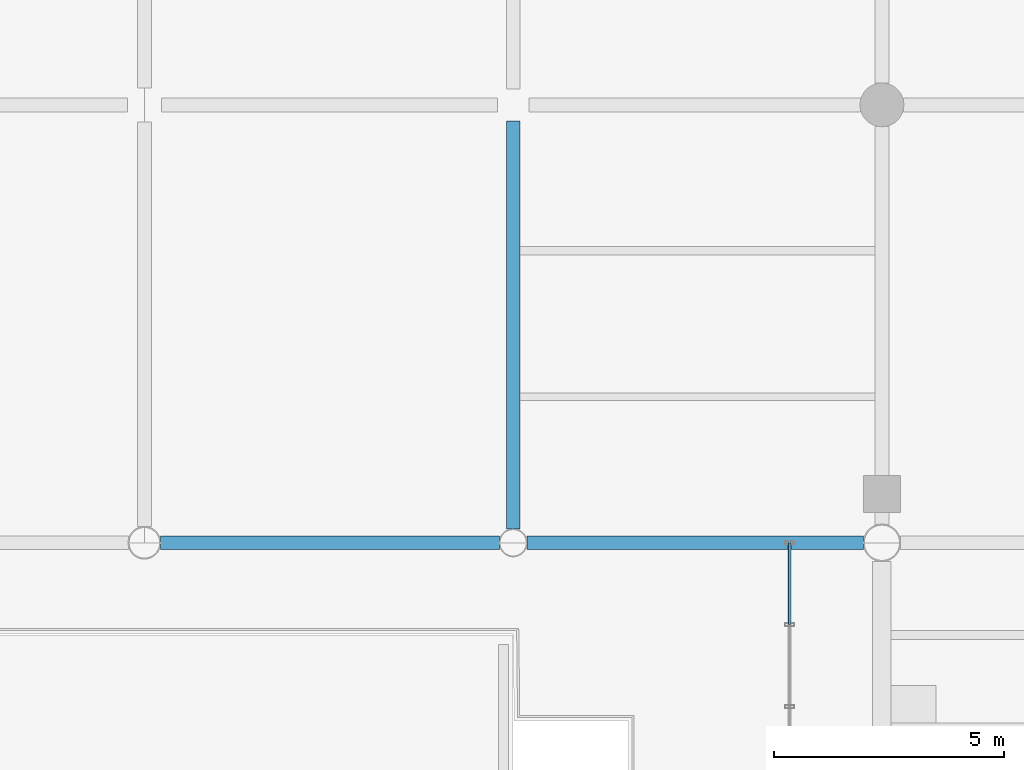
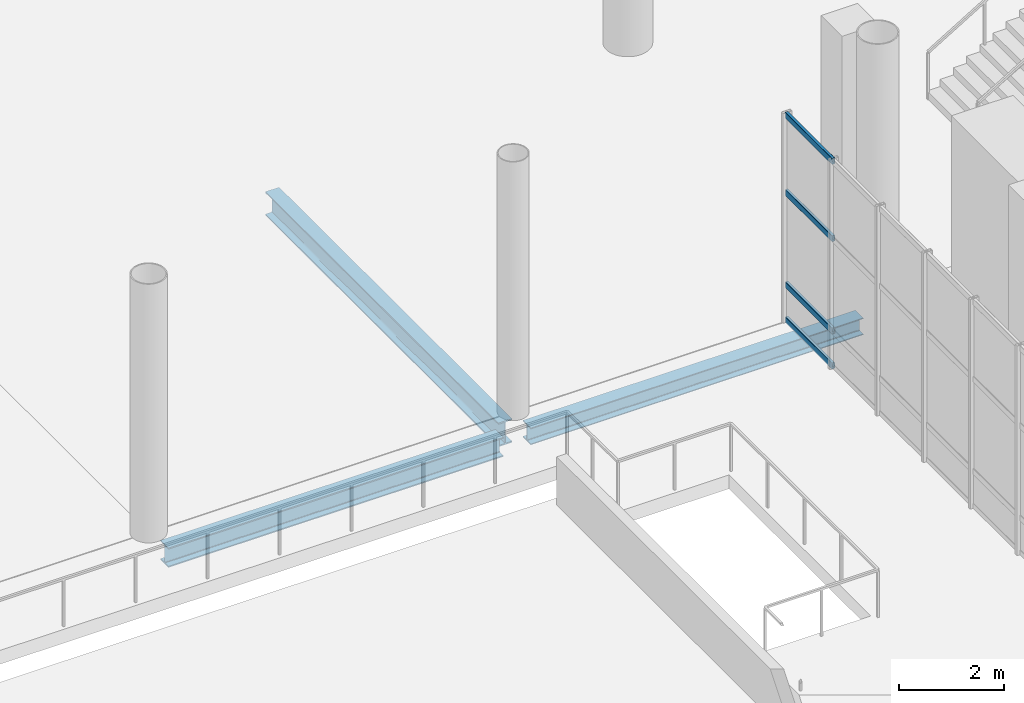
# One storey, part 64 of 163: 4 members, 3 beams, 1 element without a shape of its own.
"""IFC4 building model written with IfcOpenShell, lengths in metres."""

from ifc_helpers import new_model, si_unit, direction, frame, origin, origin_2d, place, context, subcontext, project, spatial, hollow_rectangle, i_section, extrude, material, layer, layer_set, material_profile, profile_set, type_object, element, aggregate, save


model = new_model("IFC4")

# Units and contexts
model_context = context("Model", 3, precision=1e-05, world=origin(), true_north=direction((0.0, 1.0)))
body_context = subcontext(model_context, "Body", "Model", "MODEL_VIEW")
ifc_project = project(units=[si_unit("LENGTHUNIT", "METRE"), si_unit("AREAUNIT", "SQUARE_METRE"), si_unit("VOLUMEUNIT", "CUBIC_METRE"), si_unit("PLANEANGLEUNIT", "RADIAN"), si_unit("MASSUNIT", "GRAM", prefix="KILO")], contexts=[model_context])

# Site, building, storey
site_placement = place(None, origin())
site = spatial("IfcSite", under=ifc_project, at=site_placement, CompositionType="ELEMENT")
building_placement = place(site_placement, origin())
building = spatial("IfcBuilding", under=site, at=building_placement, Name="Khorjan Park Terminus", CompositionType="ELEMENT")
storey_placement = place(building_placement, origin())
storey = spatial("IfcBuildingStorey", under=building, at=storey_placement, Name="L00", CompositionType="ELEMENT", Elevation=0.0)

# Beams
ifc_material_1 = material(Name="Steel S355", Category="steel")
ifc_material_profile_1 = material_profile(ifc_material_1, i_section(OverallWidth=0.3, OverallDepth=0.39, WebThickness=0.011, FlangeThickness=0.019, FilletRadius=0.027, at=origin_2d()), Name="HEA 400")
ifc_profile_set_1 = profile_set([ifc_material_profile_1], Name="Steel S355")
beam_type_1 = type_object("IfcBeamType", Name="BM-HEA400", PredefinedType="BEAM", material=ifc_profile_set_1)
beam_1_placement = place(storey_placement, frame((48.3, 102.0, -0.595), z_axis=(1.0, 0.0, 0.0), x_axis=(0.0, 1.0, 0.0)))
element("IfcBeam", 1, at=beam_1_placement, inside=storey, type_object=beam_type_1, Name="Primary floor girder SB-A40 (L00)", PredefinedType="BEAM", context=body_context, shape_type="SweptSolid", body=[
    extrude(i_section(OverallWidth=0.3, OverallDepth=0.39, WebThickness=0.011, FlangeThickness=0.019, FilletRadius=0.027, at=origin_2d()), origin(), (0.0, 0.0, 1.0), 7.2985),
])
ifc_material_profile_2 = material_profile(ifc_material_1, i_section(OverallWidth=0.3, OverallDepth=0.45, WebThickness=0.014, FlangeThickness=0.026, FilletRadius=0.027, at=origin_2d()), Name="HEB 450")
ifc_profile_set_2 = profile_set([ifc_material_profile_2], Name="Steel S355")
beam_type_2 = type_object("IfcBeamType", Name="BM-HEB450", PredefinedType="BEAM", material=ifc_profile_set_2)
beam_2_placement = place(storey_placement, frame((40.3505, 102.0, -0.625), z_axis=(1.0, 0.0, 0.0), x_axis=(0.0, 1.0, 0.0)))
element("IfcBeam", 2, at=beam_2_placement, inside=storey, type_object=beam_type_2, Name="Primary floor girder SB-B45 (L00)", PredefinedType="BEAM", context=body_context, shape_type="SweptSolid", body=[
    extrude(i_section(OverallWidth=0.3, OverallDepth=0.45, WebThickness=0.014, FlangeThickness=0.026, FilletRadius=0.027, at=origin_2d()), origin(), (0.0, 0.0, 1.0), 7.3495),
])
ifc_material_profile_3 = material_profile(ifc_material_1, i_section(OverallWidth=0.3, OverallDepth=0.55, WebThickness=0.015, FlangeThickness=0.029, FilletRadius=0.027, at=origin_2d()), Name="HEB 550")
ifc_profile_set_3 = profile_set([ifc_material_profile_3], Name="Steel S355")
beam_type_3 = type_object("IfcBeamType", Name="BM-HEB550", PredefinedType="BEAM", material=ifc_profile_set_3)
beam_3_placement = place(storey_placement, frame((48.0, 102.3, -0.675), z_axis=(0.0, 1.0, 0.0), x_axis=(-1.0, 0.0, 0.0)))
element("IfcBeam", 3, at=beam_3_placement, inside=storey, type_object=beam_type_3, Name="Primary floor girder SB-B55 (L00)", PredefinedType="BEAM", context=body_context, shape_type="SweptSolid", body=[
    extrude(i_section(OverallWidth=0.3, OverallDepth=0.55, WebThickness=0.015, FlangeThickness=0.029, FilletRadius=0.027, at=origin_2d()), origin(), (0.0, 0.0, 1.0), 8.855),
])

# Curtain wall, members
ifc_material_2 = material(Name="Anodized Bronze Aluminium", Category="aluminium")
ifc_layer = layer(ifc_material_2, 0.22)
ifc_layer_set = layer_set([ifc_layer], Name="Anodized Bronze Aluminium")
curtain_wall_type = type_object("IfcCurtainWallType", Name="CW-BRG-D", PredefinedType="NOTDEFINED", material=ifc_layer_set)
curtain_wall_placement = place(storey_placement, origin())
curtain_wall = element("IfcCurtainWall", 4, at=curtain_wall_placement, inside=storey, type_object=curtain_wall_type, Name="Unitized curtain wall CW-D (CW-NKW-W-L00)", PredefinedType="NOTDEFINED")
ifc_material_profile_4 = material_profile(ifc_material_2, hollow_rectangle(XDim=0.065, YDim=0.14, WallThickness=0.004, InnerFilletRadius=0.004, OuterFilletRadius=0.008, at=origin_2d()), Name="ALT 65x140x4")
ifc_profile_set_4 = profile_set([ifc_material_profile_4], Name="Anodized Bronze Aluminium")
member_type = type_object("IfcMemberType", Name="TR-ALT-140", PredefinedType="USERDEFINED", material=ifc_profile_set_4)
member_1_placement = place(storey_placement, frame((54.0, 102.0, 0.04), z_axis=(0.0, -1.0, 0.0), x_axis=(1.0, 0.0, 0.0)))
member_1 = element("IfcMember", 5, at=member_1_placement, type_object=member_type, Name="Curtain-wall transom TR-14 (CW-NKW-W-L00-0-1)", ObjectType="TRANSOM", PredefinedType="USERDEFINED", context=body_context, shape_type="SweptSolid", body=[
    extrude(hollow_rectangle(XDim=0.065, YDim=0.14, WallThickness=0.004, InnerFilletRadius=0.004, OuterFilletRadius=0.008, at=origin_2d()), origin(), (0.0, 0.0, 1.0), 1.7778),
])
member_2_placement = place(storey_placement, frame((54.0, 102.0, 0.85), z_axis=(0.0, -1.0, 0.0), x_axis=(1.0, 0.0, 0.0)))
member_2 = element("IfcMember", 6, at=member_2_placement, type_object=member_type, Name="Curtain-wall transom TR-14 (CW-NKW-W-L00-0-2)", ObjectType="TRANSOM", PredefinedType="USERDEFINED", context=body_context, shape_type="SweptSolid", body=[
    extrude(hollow_rectangle(XDim=0.065, YDim=0.14, WallThickness=0.004, InnerFilletRadius=0.004, OuterFilletRadius=0.008, at=origin_2d()), origin(), (0.0, 0.0, 1.0), 1.7778),
])
member_3_placement = place(storey_placement, frame((54.0, 102.0, 2.9915), z_axis=(0.0, -1.0, 0.0), x_axis=(1.0, 0.0, 0.0)))
member_3 = element("IfcMember", 7, at=member_3_placement, type_object=member_type, Name="Curtain-wall transom TR-14 (CW-NKW-W-L00-0-3)", ObjectType="TRANSOM", PredefinedType="USERDEFINED", context=body_context, shape_type="SweptSolid", body=[
    extrude(hollow_rectangle(XDim=0.065, YDim=0.14, WallThickness=0.004, InnerFilletRadius=0.004, OuterFilletRadius=0.008, at=origin_2d()), origin(), (0.0, 0.0, 1.0), 1.7778),
])
member_4_placement = place(storey_placement, frame((54.0, 102.0, 4.785), z_axis=(0.0, -1.0, 0.0), x_axis=(1.0, 0.0, 0.0)))
member_4 = element("IfcMember", 8, at=member_4_placement, type_object=member_type, Name="Curtain-wall transom TR-14 (CW-NKW-W-L00-0-4)", ObjectType="TRANSOM", PredefinedType="USERDEFINED", context=body_context, shape_type="SweptSolid", body=[
    extrude(hollow_rectangle(XDim=0.065, YDim=0.14, WallThickness=0.004, InnerFilletRadius=0.004, OuterFilletRadius=0.008, at=origin_2d()), origin(), (0.0, 0.0, 1.0), 1.7778),
])
aggregate(curtain_wall, [member_1, member_2, member_3, member_4])

save(model, "model.ifc")
